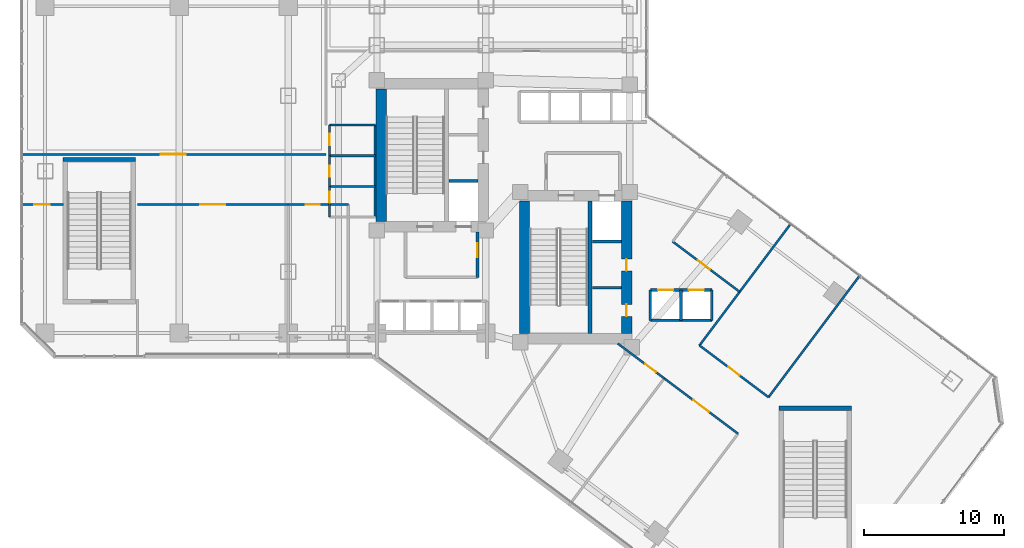
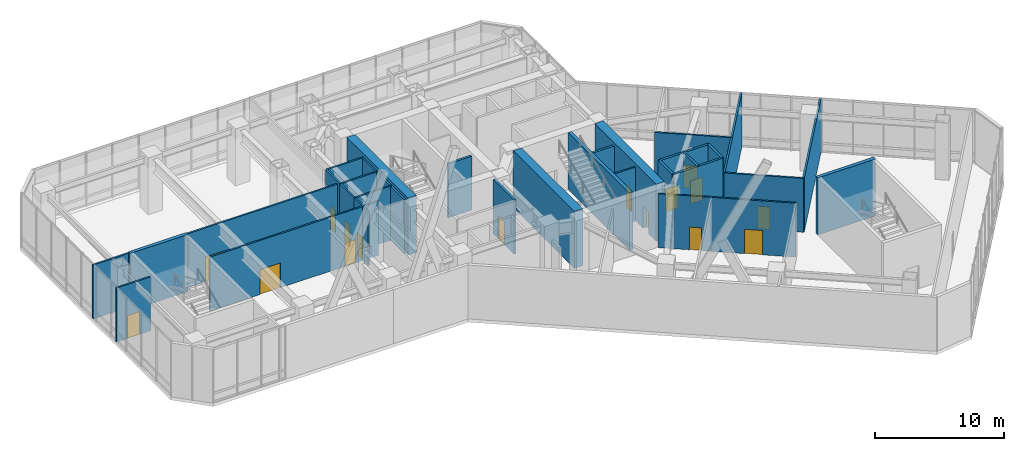
# One storey, part 28 of 35: 32 walls, 16 doors, 16 openings.
"""IFC4 building model written with IfcOpenShell, lengths in metres."""

from ifc_helpers import new_model, si_unit, direction, frame, frame_2d, origin, place, context, subcontext, project, spatial, rectangle, extrude, material, layer, layer_set, type_object, element, fill, save


model = new_model("IFC4")

# Units and contexts
model_context = context("Model", 3, precision=1e-05, world=origin(), true_north=direction((0.0, 1.0)))
body_context = subcontext(model_context, "Body", "Model", "MODEL_VIEW")
ifc_project = project(units=[si_unit("LENGTHUNIT", "METRE"), si_unit("AREAUNIT", "SQUARE_METRE"), si_unit("VOLUMEUNIT", "CUBIC_METRE"), si_unit("PLANEANGLEUNIT", "RADIAN"), si_unit("MASSUNIT", "GRAM", prefix="KILO")], contexts=[model_context])

# Site, building, storey
site_placement = place(None, origin())
site = spatial("IfcSite", under=ifc_project, at=site_placement, CompositionType="ELEMENT")
building_placement = place(site_placement, origin())
building = spatial("IfcBuilding", under=site, at=building_placement, Name="Hatsunagi Terrace Concourse", CompositionType="ELEMENT")
storey_placement = place(building_placement, frame((0.0, 0.0, 5.39990234375)))
storey = spatial("IfcBuildingStorey", under=building, at=storey_placement, Name="L02", CompositionType="ELEMENT", Elevation=5.39990234375)

# Walls
ifc_material_1 = material(Name="Concrete Fc60", Category="concrete")
ifc_layer_1 = layer(ifc_material_1, 0.75)
ifc_layer_set_1 = layer_set([ifc_layer_1], Name="CoreShearWall_Fc60_750")
wall_type_1 = type_object("IfcWallType", Name="CoreShearWall_Fc60_750", PredefinedType="SHEAR", material=ifc_layer_set_1)
for number, where, z_axis, x_axis, name in (
    (1, (25.844970703125, 33.18994140625, 0.0), (0.0, 0.0, 1.0), (0.0, 1.0, 0.0), "Core A Shear Wall W L02"),
    (2, (36.114990234375, 25.18994140625, 0.0), (0.0, 0.0, 1.0), (0.0, 1.0, 0.0), "Core B Shear Wall W L02"),
):
    element("IfcWall", number, at=place(storey_placement, frame(where, z_axis=z_axis, x_axis=x_axis)), inside=storey, type_object=wall_type_1, Name=name, PredefinedType="SHEAR", context=body_context, shape_type="SweptSolid", body=[
        extrude(rectangle(XDim=9.47998046875, YDim=0.75, at=frame_2d((4.739990234375, 0.0))), origin(), (0.0, 0.0, 1.0), 5.400146484375),
    ])

# Wall, openings, doors
wall_1_placement = place(storey_placement, frame((43.425048828125, 25.18994140625, 0.0), z_axis=(0.0, 0.0, 1.0), x_axis=(0.0, 1.0, 0.0)))
wall_1 = element("IfcWall", 3, at=wall_1_placement, inside=storey, type_object=wall_type_1, Name="Core B Shear Wall E L02", PredefinedType="SHEAR", context=body_context, shape_type="SweptSolid", body=[
    extrude(rectangle(XDim=9.47998046875, YDim=0.75, at=frame_2d((4.739990234375, 0.0))), origin(), (0.0, 0.0, 1.0), 5.400146484375),
])
opening_1_placement = place(wall_1_placement, frame((1.2099609375, 0.0, 0.0)))
opening_1 = element("IfcOpeningElement", 4, at=opening_1_placement, cuts=wall_1, Name="Opening DR-085", PredefinedType="OPENING", context=body_context, shape_type="SweptSolid", body=[
    extrude(rectangle(XDim=0.85009765625, YDim=2.080078125, at=frame_2d((0.425048828125, 1.0400390625))), frame((0.0, 0.385009765625, 0.0), z_axis=(0.0, -1.0, 0.0), x_axis=(1.0, 0.0, 0.0)), (0.0, 0.0, 1.0), 0.77001953125),
])
opening_2_placement = place(wall_1_placement, frame((4.4599609375, 0.0, 0.0)))
opening_2 = element("IfcOpeningElement", 5, at=opening_2_placement, cuts=wall_1, Name="Opening DR-085", PredefinedType="OPENING", context=body_context, shape_type="SweptSolid", body=[
    extrude(rectangle(XDim=0.85009765625, YDim=2.080078125, at=frame_2d((0.425048828125, 1.0400390625))), frame((0.0, 0.385009765625, 0.0), z_axis=(0.0, -1.0, 0.0), x_axis=(1.0, 0.0, 0.0)), (0.0, 0.0, 1.0), 0.77001953125),
])
ifc_material_2 = material(Name="Painted steel", Category="steel")
door_type_1 = type_object("IfcDoorType", Name="RiserAccessDoor_EI60_850", OperationType="NOTDEFINED", PredefinedType="DOOR", material=ifc_material_2)
door_1_placement = place(opening_1_placement, origin())
door_1 = element("IfcDoor", 6, at=door_1_placement, inside=storey, type_object=door_type_1, Name="Core B Riser Door L02-1", OperationType="SINGLE_SWING_RIGHT", OverallHeight=2.080078125, OverallWidth=0.85009765625, PredefinedType="DOOR", context=body_context, shape_type="SweptSolid", body=[
    extrude(rectangle(XDim=0.85009765625, YDim=2.080078125, at=frame_2d((0.425048828125, 1.0400390625))), frame((0.0, 0.02490234375, 0.0), z_axis=(0.0, -1.0, 0.0), x_axis=(1.0, 0.0, 0.0)), (0.0, 0.0, 1.0), 0.050048828125),
])
fill(opening_1, door_1)
door_2_placement = place(opening_2_placement, origin())
door_2 = element("IfcDoor", 7, at=door_2_placement, inside=storey, type_object=door_type_1, Name="Core B Riser Door L02-2", OperationType="SINGLE_SWING_RIGHT", OverallHeight=2.080078125, OverallWidth=0.85009765625, PredefinedType="DOOR", context=body_context, shape_type="SweptSolid", body=[
    extrude(rectangle(XDim=0.85009765625, YDim=2.080078125, at=frame_2d((0.425048828125, 1.0400390625))), frame((0.0, 0.02490234375, 0.0), z_axis=(0.0, -1.0, 0.0), x_axis=(1.0, 0.0, 0.0)), (0.0, 0.0, 1.0), 0.050048828125),
])
fill(opening_2, door_2)

# Walls
ifc_material_3 = material(Name="Concrete Fc48", Category="concrete")
ifc_layer_2 = layer(ifc_material_3, 0.300048828125)
ifc_layer_set_2 = layer_set([ifc_layer_2], Name="CoreStairDivider_Fc48_300")
wall_type_2 = type_object("IfcWallType", Name="CoreStairDivider_Fc48_300", PredefinedType="SHEAR", material=ifc_layer_set_2)
wall_2_placement = place(storey_placement, frame((40.81005859375, 25.18994140625, 0.0), z_axis=(0.0, 0.0, 1.0), x_axis=(0.0, 1.0, 0.0)))
element("IfcWall", 8, at=wall_2_placement, inside=storey, type_object=wall_type_2, Name="Core B Shear Wall D L02", PredefinedType="SHEAR", context=body_context, shape_type="SweptSolid", body=[
    extrude(rectangle(XDim=9.47998046875, YDim=0.300048828125, at=frame_2d((4.739990234375, 0.0))), origin(), (0.0, 0.0, 1.0), 5.400146484375),
])
for number, where, z_axis, x_axis, name in (
    (9, (3.090087890625, 37.6201171875, 0.0), (0.0, 0.0, 1.0), (1.0, 0.0, 0.0), "Podium Stair P1 Shear Wall N L02"),
    (10, (54.340087890625, 19.820068359375, 0.0), (0.0, 0.0, 1.0), (1.0, 0.0, 0.0), "Podium Stair P2 Shear Wall N L02"),
):
    element("IfcWall", number, at=place(storey_placement, frame(where, z_axis=z_axis, x_axis=x_axis)), inside=storey, type_object=wall_type_2, Name=name, PredefinedType="SHEAR", context=body_context, shape_type="SweptSolid", body=[
        extrude(rectangle(XDim=5.169921875, YDim=0.300048828125, at=frame_2d((2.5849609375, 0.0))), origin(), (0.0, 0.0, 1.0), 5.400146484375),
    ])
ifc_material_4 = material(Name="Acoustic mineral board", Category="gypsum")
ifc_layer_3 = layer(ifc_material_4, 0.14990234375)
ifc_layer_set_3 = layer_set([ifc_layer_3], Name="PartitionWall_EI60_150")
wall_type_3 = type_object("IfcWallType", Name="PartitionWall_EI60_150", PredefinedType="PARTITIONING", material=ifc_layer_set_3)
wall_3_placement = place(storey_placement, frame((40.969970703125, 28.449951171875, 0.0), z_axis=(0.0, 0.0, 1.0), x_axis=(1.0, 0.0, 0.0)))
element("IfcWall", 11, at=wall_3_placement, inside=storey, type_object=wall_type_3, Name="Interior Partition IW-L02-004", PredefinedType="PARTITIONING", context=body_context, shape_type="SweptSolid", body=[
    extrude(rectangle(XDim=2.080078125, YDim=0.14990234375, at=frame_2d((1.0400390625, 0.0))), origin(), (0.0, 0.0, 1.0), 5.10009765625),
])
wall_4_placement = place(storey_placement, frame((22.14990234375, 40.10009765625, 0.0), z_axis=(0.0, 0.0, 1.0), x_axis=(1.0, 0.0, 0.0)))
element("IfcWall", 12, at=wall_4_placement, inside=storey, type_object=wall_type_3, Name="Interior Partition IW-L02-030", PredefinedType="PARTITIONING", context=body_context, shape_type="SweptSolid", body=[
    extrude(rectangle(XDim=3.300048828125, YDim=0.14990234375, at=frame_2d((1.64990234375, 0.0))), origin(), (0.0, 0.0, 1.0), 5.10009765625),
])
wall_5_placement = place(storey_placement, frame((25.39990234375, 33.5, 0.0), z_axis=(0.0, 0.0, 1.0), x_axis=(0.0, 1.0, 0.0)))
element("IfcWall", 13, at=wall_5_placement, inside=storey, type_object=wall_type_3, Name="Interior Partition IW-L02-031", PredefinedType="PARTITIONING", context=body_context, shape_type="SweptSolid", body=[
    extrude(rectangle(XDim=6.60009765625, YDim=0.14990234375, at=frame_2d((3.300048828125, 0.0))), origin(), (0.0, 0.0, 1.0), 5.10009765625),
])
for number, where, z_axis, x_axis, name in (
    (14, (22.14990234375, 35.699951171875, 0.0), (0.0, 0.0, 1.0), (1.0, 0.0, 0.0), "Interior Partition IW-L02-032"),
    (15, (22.14990234375, 37.89990234375, 0.0), (0.0, 0.0, 1.0), (1.0, 0.0, 0.0), "Interior Partition IW-L02-033"),
):
    element("IfcWall", number, at=place(storey_placement, frame(where, z_axis=z_axis, x_axis=x_axis)), inside=storey, type_object=wall_type_3, Name=name, PredefinedType="PARTITIONING", context=body_context, shape_type="SweptSolid", body=[
        extrude(rectangle(XDim=3.300048828125, YDim=0.14990234375, at=frame_2d((1.64990234375, 0.0))), origin(), (0.0, 0.0, 1.0), 5.10009765625),
    ])

# Wall, opening, door
wall_6_placement = place(storey_placement, frame((22.14990234375, 33.5, 0.0), z_axis=(0.0, 0.0, 1.0), x_axis=(0.0, 1.0, 0.0)))
wall_6 = element("IfcWall", 16, at=wall_6_placement, inside=storey, type_object=wall_type_3, Name="Interior Partition IW-L02-034", PredefinedType="PARTITIONING", context=body_context, shape_type="SweptSolid", body=[
    extrude(rectangle(XDim=2.199951171875, YDim=0.14990234375, at=frame_2d((1.10009765625, 0.0))), origin(), (0.0, 0.0, 1.0), 5.10009765625),
])
opening_3_placement = place(wall_6_placement, frame((1.02001953125, 0.0, 0.0)))
opening_3 = element("IfcOpeningElement", 17, at=opening_3_placement, cuts=wall_6, Name="Opening DR-080", PredefinedType="OPENING", context=body_context, shape_type="SweptSolid", body=[
    extrude(rectangle(XDim=0.800048828125, YDim=2.06005859375, at=frame_2d((0.39990234375, 1.030029296875))), frame((0.0, 0.0849609375, 0.0), z_axis=(0.0, -1.0, 0.0), x_axis=(1.0, 0.0, 0.0)), (0.0, 0.0, 1.0), 0.169921875),
])
ifc_material_5 = material(Name="Hardwood timber", Category="wood")
door_type_2 = type_object("IfcDoorType", Name="BathroomDoor_800", OperationType="NOTDEFINED", PredefinedType="DOOR", material=ifc_material_5)
door_3_placement = place(opening_3_placement, origin())
door_3 = element("IfcDoor", 18, at=door_3_placement, inside=storey, type_object=door_type_2, Name="Accessible WC Door L02", OperationType="SINGLE_SWING_LEFT", OverallHeight=2.06005859375, OverallWidth=0.800048828125, PredefinedType="DOOR", context=body_context, shape_type="SweptSolid", body=[
    extrude(rectangle(XDim=0.800048828125, YDim=2.06005859375, at=frame_2d((0.39990234375, 1.030029296875))), frame((0.0, 0.02490234375, 0.0), z_axis=(0.0, -1.0, 0.0), x_axis=(1.0, 0.0, 0.0)), (0.0, 0.0, 1.0), 0.050048828125),
])
fill(opening_3, door_3)

wall_7_placement = place(storey_placement, frame((22.14990234375, 35.699951171875, 0.0), z_axis=(0.0, 0.0, 1.0), x_axis=(0.0, 1.0, 0.0)))
wall_7 = element("IfcWall", 19, at=wall_7_placement, inside=storey, type_object=wall_type_3, Name="Interior Partition IW-L02-035", PredefinedType="PARTITIONING", context=body_context, shape_type="SweptSolid", body=[
    extrude(rectangle(XDim=2.199951171875, YDim=0.14990234375, at=frame_2d((1.10009765625, 0.0))), origin(), (0.0, 0.0, 1.0), 5.10009765625),
])
opening_4_placement = place(wall_7_placement, frame((0.699951171875, 0.0, 0.0)))
opening_4 = element("IfcOpeningElement", 20, at=opening_4_placement, cuts=wall_7, Name="Opening DR-080", PredefinedType="OPENING", context=body_context, shape_type="SweptSolid", body=[
    extrude(rectangle(XDim=0.800048828125, YDim=2.06005859375, at=frame_2d((0.39990234375, 1.030029296875))), frame((0.0, 0.0849609375, 0.0), z_axis=(0.0, -1.0, 0.0), x_axis=(1.0, 0.0, 0.0)), (0.0, 0.0, 1.0), 0.169921875),
])
door_4_placement = place(opening_4_placement, origin())
door_4 = element("IfcDoor", 21, at=door_4_placement, inside=storey, type_object=door_type_2, Name="Female Restroom Door L02", OperationType="SINGLE_SWING_LEFT", OverallHeight=2.06005859375, OverallWidth=0.800048828125, PredefinedType="DOOR", context=body_context, shape_type="SweptSolid", body=[
    extrude(rectangle(XDim=0.800048828125, YDim=2.06005859375, at=frame_2d((0.39990234375, 1.030029296875))), frame((0.0, 0.02490234375, 0.0), z_axis=(0.0, -1.0, 0.0), x_axis=(1.0, 0.0, 0.0)), (0.0, 0.0, 1.0), 0.050048828125),
])
fill(opening_4, door_4)

wall_8_placement = place(storey_placement, frame((22.14990234375, 37.89990234375, 0.0), z_axis=(0.0, 0.0, 1.0), x_axis=(0.0, 1.0, 0.0)))
wall_8 = element("IfcWall", 22, at=wall_8_placement, inside=storey, type_object=wall_type_3, Name="Interior Partition IW-L02-036", PredefinedType="PARTITIONING", context=body_context, shape_type="SweptSolid", body=[
    extrude(rectangle(XDim=2.2001953125, YDim=0.14990234375, at=frame_2d((1.10009765625, 0.0))), origin(), (0.0, 0.0, 1.0), 5.10009765625),
])
opening_5_placement = place(wall_8_placement, frame((0.763916015625, 0.0, 0.0)))
opening_5 = element("IfcOpeningElement", 23, at=opening_5_placement, cuts=wall_8, Name="Opening DR-080", PredefinedType="OPENING", context=body_context, shape_type="SweptSolid", body=[
    extrude(rectangle(XDim=0.800048828125, YDim=2.06005859375, at=frame_2d((0.39990234375, 1.030029296875))), frame((0.0, 0.0849609375, 0.0), z_axis=(0.0, -1.0, 0.0), x_axis=(1.0, 0.0, 0.0)), (0.0, 0.0, 1.0), 0.169921875),
])
door_5_placement = place(opening_5_placement, origin())
door_5 = element("IfcDoor", 24, at=door_5_placement, inside=storey, type_object=door_type_2, Name="Male Restroom Door L02", OperationType="SINGLE_SWING_RIGHT", OverallHeight=2.06005859375, OverallWidth=0.800048828125, PredefinedType="DOOR", context=body_context, shape_type="SweptSolid", body=[
    extrude(rectangle(XDim=0.800048828125, YDim=2.06005859375, at=frame_2d((0.39990234375, 1.030029296875))), frame((0.0, 0.02490234375, 0.0), z_axis=(0.0, -1.0, 0.0), x_axis=(1.0, 0.0, 0.0)), (0.0, 0.0, 1.0), 0.050048828125),
])
fill(opening_5, door_5)

wall_9_placement = place(storey_placement, frame((0.0400390625, 38.0, 0.0), z_axis=(0.0, 0.0, 1.0), x_axis=(1.0, 0.0, 0.0)))
wall_9 = element("IfcWall", 25, at=wall_9_placement, inside=storey, type_object=wall_type_3, Name="Interior Partition IW-L02-037", PredefinedType="PARTITIONING", context=body_context, shape_type="SweptSolid", body=[
    extrude(rectangle(XDim=21.85986328125, YDim=0.14990234375, at=frame_2d((10.929931640625, 0.0))), origin(), (0.0, 0.0, 1.0), 5.10009765625),
])
opening_6_placement = place(wall_9_placement, frame((10.030029296875, 0.0, 0.0)))
opening_6 = element("IfcOpeningElement", 26, at=opening_6_placement, cuts=wall_9, Name="Opening DR-180", PredefinedType="OPENING", context=body_context, shape_type="SweptSolid", body=[
    extrude(rectangle(XDim=1.800048828125, YDim=2.35009765625, at=frame_2d((0.89990234375, 1.175048828125))), frame((0.0, 0.0849609375, 0.0), z_axis=(0.0, -1.0, 0.0), x_axis=(1.0, 0.0, 0.0)), (0.0, 0.0, 1.0), 0.169921875),
])
ifc_material_6 = material(Name="Hardwood timber", Category="wood")
door_type_3 = type_object("IfcDoorType", Name="PodiumHallDoubleDoor_1800", OperationType="DOUBLE_DOOR_SINGLE_SWING", PredefinedType="DOOR", material=ifc_material_6)
door_6_placement = place(opening_6_placement, origin())
door_6 = element("IfcDoor", 27, at=door_6_placement, inside=storey, type_object=door_type_3, Name="Exhibition Hall L02-EXHN Door", OperationType="DOUBLE_DOOR_SINGLE_SWING", OverallHeight=2.35009765625, OverallWidth=1.800048828125, PredefinedType="DOOR", context=body_context, shape_type="SweptSolid", body=[
    extrude(rectangle(XDim=1.800048828125, YDim=2.35009765625, at=frame_2d((0.89990234375, 1.175048828125))), frame((0.0, 0.02490234375, 0.0), z_axis=(0.0, -1.0, 0.0), x_axis=(1.0, 0.0, 0.0)), (0.0, 0.0, 1.0), 0.050048828125),
])
fill(opening_6, door_6)

wall_10_placement = place(storey_placement, frame((0.0400390625, 34.39990234375, 0.0), z_axis=(0.0, 0.0, 1.0), x_axis=(1.0, 0.0, 0.0)))
wall_10 = element("IfcWall", 28, at=wall_10_placement, inside=storey, type_object=wall_type_3, Name="Interior Partition IW-L02-039", PredefinedType="PARTITIONING", context=body_context, shape_type="SweptSolid", body=[
    extrude(rectangle(XDim=3.070068359375, YDim=0.14990234375, at=frame_2d((1.53515625, 0.0))), origin(), (0.0, 0.0, 1.0), 5.10009765625),
])
opening_7_placement = place(wall_10_placement, frame((0.985107421875, 0.0, 0.0)))
opening_7 = element("IfcOpeningElement", 29, at=opening_7_placement, cuts=wall_10, Name="Opening DR-110W", PredefinedType="OPENING", context=body_context, shape_type="SweptSolid", body=[
    extrude(rectangle(XDim=1.10009765625, YDim=2.159912109375, at=frame_2d((0.550048828125, 1.080078125))), frame((0.0, 0.0849609375, 0.0), z_axis=(0.0, -1.0, 0.0), x_axis=(1.0, 0.0, 0.0)), (0.0, 0.0, 1.0), 0.169921875),
])
ifc_material_7 = material(Name="Hardwood timber", Category="wood")
door_type_4 = type_object("IfcDoorType", Name="SuiteWideDoor_EI30_1100", OperationType="NOTDEFINED", PredefinedType="DOOR", material=ifc_material_7)
door_7_placement = place(opening_7_placement, origin())
door_7 = element("IfcDoor", 30, at=door_7_placement, inside=storey, type_object=door_type_4, Name="VIP Lounge L02-P2WS0 Door", OperationType="SINGLE_SWING_RIGHT", OverallHeight=2.159912109375, OverallWidth=1.10009765625, PredefinedType="DOOR", context=body_context, shape_type="SweptSolid", body=[
    extrude(rectangle(XDim=1.10009765625, YDim=2.159912109375, at=frame_2d((0.550048828125, 1.080078125))), frame((0.0, 0.02490234375, 0.0), z_axis=(0.0, -1.0, 0.0), x_axis=(1.0, 0.0, 0.0)), (0.0, 0.0, 1.0), 0.050048828125),
])
fill(opening_7, door_7)

wall_11_placement = place(storey_placement, frame((8.39990234375, 34.39990234375, 0.0), z_axis=(0.0, 0.0, 1.0), x_axis=(1.0, 0.0, 0.0)))
wall_11 = element("IfcWall", 31, at=wall_11_placement, inside=storey, type_object=wall_type_3, Name="Interior Partition IW-L02-041", PredefinedType="PARTITIONING", context=body_context, shape_type="SweptSolid", body=[
    extrude(rectangle(XDim=10.800048828125, YDim=0.14990234375, at=frame_2d((5.39990234375, 0.0))), origin(), (0.0, 0.0, 1.0), 5.10009765625),
])
opening_8_placement = place(wall_11_placement, frame((4.5, 0.0, 0.0)))
opening_8 = element("IfcOpeningElement", 32, at=opening_8_placement, cuts=wall_11, Name="Opening DR-180", PredefinedType="OPENING", context=body_context, shape_type="SweptSolid", body=[
    extrude(rectangle(XDim=1.800048828125, YDim=2.35009765625, at=frame_2d((0.89990234375, 1.175048828125))), frame((0.0, 0.0849609375, 0.0), z_axis=(0.0, -1.0, 0.0), x_axis=(1.0, 0.0, 0.0)), (0.0, 0.0, 1.0), 0.169921875),
])
door_8_placement = place(opening_8_placement, origin())
door_8 = element("IfcDoor", 33, at=door_8_placement, inside=storey, type_object=door_type_3, Name="Conference Hall L02-EXHS Door", OperationType="DOUBLE_DOOR_SINGLE_SWING", OverallHeight=2.35009765625, OverallWidth=1.800048828125, PredefinedType="DOOR", context=body_context, shape_type="SweptSolid", body=[
    extrude(rectangle(XDim=1.800048828125, YDim=2.35009765625, at=frame_2d((0.89990234375, 1.175048828125))), frame((0.0, 0.02490234375, 0.0), z_axis=(0.0, -1.0, 0.0), x_axis=(1.0, 0.0, 0.0)), (0.0, 0.0, 1.0), 0.050048828125),
])
fill(opening_8, door_8)

wall_12_placement = place(storey_placement, frame((19.199951171875, 34.39990234375, 0.0), z_axis=(0.0, 0.0, 1.0), x_axis=(1.0, 0.0, 0.0)))
wall_12 = element("IfcWall", 34, at=wall_12_placement, inside=storey, type_object=wall_type_3, Name="Interior Partition IW-L02-043", PredefinedType="PARTITIONING", context=body_context, shape_type="SweptSolid", body=[
    extrude(rectangle(XDim=4.300048828125, YDim=0.14990234375, at=frame_2d((2.14990234375, 0.0))), origin(), (0.0, 0.0, 1.0), 5.10009765625),
])
opening_9_placement = place(wall_12_placement, frame((1.26904296875, 0.0, 0.0)))
opening_9 = element("IfcOpeningElement", 35, at=opening_9_placement, cuts=wall_12, Name="Opening DR-100F", PredefinedType="OPENING", context=body_context, shape_type="SweptSolid", body=[
    extrude(rectangle(XDim=1.0, YDim=2.199951171875, at=frame_2d((0.5, 1.10009765625))), frame((0.0, 0.0849609375, 0.0), z_axis=(0.0, -1.0, 0.0), x_axis=(1.0, 0.0, 0.0)), (0.0, 0.0, 1.0), 0.169921875),
])
ifc_material_8 = material(Name="Painted steel", Category="steel")
door_type_5 = type_object("IfcDoorType", Name="FireDoor_EI60_1000", OperationType="NOTDEFINED", PredefinedType="DOOR", material=ifc_material_8)
door_9_placement = place(opening_9_placement, origin())
door_9 = element("IfcDoor", 36, at=door_9_placement, inside=storey, type_object=door_type_5, Name="Catering Pantry L02-P2BOH Door", OperationType="SINGLE_SWING_LEFT", OverallHeight=2.199951171875, OverallWidth=1.0, PredefinedType="DOOR", context=body_context, shape_type="SweptSolid", body=[
    extrude(rectangle(XDim=1.0, YDim=2.199951171875, at=frame_2d((0.5, 1.10009765625))), frame((0.0, 0.02490234375, 0.0), z_axis=(0.0, -1.0, 0.0), x_axis=(1.0, 0.0, 0.0)), (0.0, 0.0, 1.0), 0.050048828125),
])
fill(opening_9, door_9)

wall_13_placement = place(storey_placement, frame((48.639892578125, 24.320068359375, 0.0), z_axis=(0.0, 0.0, 1.0), x_axis=(0.80000474051, -0.599993679268, 0.0)))
wall_13 = element("IfcWall", 37, at=wall_13_placement, inside=storey, type_object=wall_type_3, Name="Interior Partition IW-L02-046", PredefinedType="PARTITIONING", context=body_context, shape_type="SweptSolid", body=[
    extrude(rectangle(XDim=6.18017578125, YDim=0.14990234375, at=frame_2d((3.090087890625, 0.0))), origin(), (0.0, 0.0, 1.0), 5.10009765625),
])
opening_10_placement = place(wall_13_placement, frame((2.590087890625, 0.0, 0.0)))
opening_10 = element("IfcOpeningElement", 38, at=opening_10_placement, cuts=wall_13, Name="Opening DR-100S", PredefinedType="OPENING", context=body_context, shape_type="SweptSolid", body=[
    extrude(rectangle(XDim=1.0, YDim=2.14990234375, at=frame_2d((0.5, 1.074951171875))), frame((0.0, 0.0849609375, 0.0), z_axis=(0.0, -1.0, 0.0), x_axis=(1.0, 0.0, 0.0)), (0.0, 0.0, 1.0), 0.169921875),
])
ifc_material_9 = material(Name="Hardwood timber", Category="wood")
door_type_6 = type_object("IfcDoorType", Name="SuiteDoor_EI30_1000", OperationType="NOTDEFINED", PredefinedType="DOOR", material=ifc_material_9)
door_10_placement = place(opening_10_placement, origin())
door_10 = element("IfcDoor", 39, at=door_10_placement, inside=storey, type_object=door_type_6, Name="Seminar Room L02-SEMN1 Door", OperationType="SINGLE_SWING_LEFT", OverallHeight=2.14990234375, OverallWidth=1.0, PredefinedType="DOOR", context=body_context, shape_type="SweptSolid", body=[
    extrude(rectangle(XDim=1.0, YDim=2.14990234375, at=frame_2d((0.5, 1.074951171875))), frame((0.0, 0.02490234375, 0.0), z_axis=(0.0, -1.0, 0.0), x_axis=(1.0, 0.0, 0.0)), (0.0, 0.0, 1.0), 0.050048828125),
])
fill(opening_10, door_10)

# Walls
wall_14_placement = place(storey_placement, frame((48.639892578125, 24.320068359375, 0.0), z_axis=(0.0, 0.0, 1.0), x_axis=(0.600017820398, 0.799986634391, 0.0)))
element("IfcWall", 40, at=wall_14_placement, inside=storey, type_object=wall_type_3, Name="Interior Partition IW-L02-047", PredefinedType="PARTITIONING", context=body_context, shape_type="SweptSolid", body=[
    extrude(rectangle(XDim=10.9599609375, YDim=0.14990234375, at=frame_2d((5.47998046875, 0.0))), origin(), (0.0, 0.0, 1.0), 5.10009765625),
])
wall_15_placement = place(storey_placement, frame((53.583984375, 20.612060546875, 0.0), z_axis=(0.0, 0.0, 1.0), x_axis=(0.600003564151, 0.799997326874, 0.0)))
element("IfcWall", 41, at=wall_15_placement, inside=storey, type_object=wall_type_3, Name="Interior Partition IW-L02-048", PredefinedType="PARTITIONING", context=body_context, shape_type="SweptSolid", body=[
    extrude(rectangle(XDim=10.959716796875, YDim=0.14990234375, at=frame_2d((5.47998046875, 0.0))), origin(), (0.0, 0.0, 1.0), 5.10009765625),
])

# Wall, opening, door
wall_16_placement = place(storey_placement, frame((46.1201171875, 21.9599609375, 0.0), z_axis=(0.0, 0.0, 1.0), x_axis=(0.799991121809, -0.600011837406, 0.0)))
wall_16 = element("IfcWall", 42, at=wall_16_placement, inside=storey, type_object=wall_type_3, Name="Interior Partition IW-L02-049", PredefinedType="PARTITIONING", context=body_context, shape_type="SweptSolid", body=[
    extrude(rectangle(XDim=6.599853515625, YDim=0.14990234375, at=frame_2d((3.2998046875, 0.0))), origin(), (0.0, 0.0, 1.0), 5.10009765625),
])
opening_11_placement = place(wall_16_placement, frame((2.60009765625, 0.0, 0.0)))
opening_11 = element("IfcOpeningElement", 43, at=opening_11_placement, cuts=wall_16, Name="Opening DR-140", PredefinedType="OPENING", context=body_context, shape_type="SweptSolid", body=[
    extrude(rectangle(XDim=1.39990234375, YDim=2.300048828125, at=frame_2d((0.699951171875, 1.14990234375))), frame((0.0, 0.0849609375, 0.0), z_axis=(0.0, -1.0, 0.0), x_axis=(1.0, 0.0, 0.0)), (0.0, 0.0, 1.0), 0.169921875),
])
ifc_material_10 = material(Name="Hardwood timber", Category="wood")
door_type_7 = type_object("IfcDoorType", Name="LoungeDiningDoubleDoor_1400", OperationType="DOUBLE_DOOR_SINGLE_SWING", PredefinedType="DOOR", material=ifc_material_10)
door_11_placement = place(opening_11_placement, origin())
door_11 = element("IfcDoor", 44, at=door_11_placement, inside=storey, type_object=door_type_7, Name="Conference Hall L02-SYMP2 Door", OperationType="DOUBLE_DOOR_SINGLE_SWING", OverallHeight=2.300048828125, OverallWidth=1.39990234375, PredefinedType="DOOR", context=body_context, shape_type="SweptSolid", body=[
    extrude(rectangle(XDim=1.39990234375, YDim=2.300048828125, at=frame_2d((0.699951171875, 1.14990234375))), frame((0.0, 0.02490234375, 0.0), z_axis=(0.0, -1.0, 0.0), x_axis=(1.0, 0.0, 0.0)), (0.0, 0.0, 1.0), 0.050048828125),
])
fill(opening_11, door_11)

wall_17_placement = place(storey_placement, frame((46.719970703125, 31.760009765625, 0.0), z_axis=(0.0, 0.0, 1.0), x_axis=(0.79999511724, -0.600006510291, 0.0)))
wall_17 = element("IfcWall", 45, at=wall_17_placement, inside=storey, type_object=wall_type_3, Name="Interior Partition IW-L02-053", PredefinedType="PARTITIONING", context=body_context, shape_type="SweptSolid", body=[
    extrude(rectangle(XDim=6.0, YDim=0.14990234375, at=frame_2d((3.0, 0.0))), origin(), (0.0, 0.0, 1.0), 5.10009765625),
])
opening_12_placement = place(wall_17_placement, frame((2.242919921875, 0.0, 0.0)))
opening_12 = element("IfcOpeningElement", 46, at=opening_12_placement, cuts=wall_17, Name="Opening DR-110W", PredefinedType="OPENING", context=body_context, shape_type="SweptSolid", body=[
    extrude(rectangle(XDim=1.10009765625, YDim=2.159912109375, at=frame_2d((0.550048828125, 1.080078125))), frame((0.0, 0.0849609375, 0.0), z_axis=(0.0, -1.0, 0.0), x_axis=(1.0, 0.0, 0.0)), (0.0, 0.0, 1.0), 0.169921875),
])
door_12_placement = place(opening_12_placement, origin())
door_12 = element("IfcDoor", 47, at=door_12_placement, inside=storey, type_object=door_type_4, Name="Delegate Pre-Function Lounge L02-PREG2 Door", OperationType="SINGLE_SWING_RIGHT", OverallHeight=2.159912109375, OverallWidth=1.10009765625, PredefinedType="DOOR", context=body_context, shape_type="SweptSolid", body=[
    extrude(rectangle(XDim=1.10009765625, YDim=2.159912109375, at=frame_2d((0.550048828125, 1.080078125))), frame((0.0, 0.02490234375, 0.0), z_axis=(0.0, -1.0, 0.0), x_axis=(1.0, 0.0, 0.0)), (0.0, 0.0, 1.0), 0.050048828125),
])
fill(opening_12, door_12)

wall_18_placement = place(storey_placement, frame((42.787109375, 24.4599609375, 0.0), z_axis=(0.0, 0.0, 1.0), x_axis=(0.799971872363, -0.600037501685, 0.0)))
wall_18 = element("IfcWall", 48, at=wall_18_placement, inside=storey, type_object=wall_type_3, Name="Interior Partition IW-L02-055", PredefinedType="PARTITIONING", context=body_context, shape_type="SweptSolid", body=[
    extrude(rectangle(XDim=4.16650390625, YDim=0.14990234375, at=frame_2d((2.083251953125, 0.0))), origin(), (0.0, 0.0, 1.0), 5.10009765625),
])
opening_13_placement = place(wall_18_placement, frame((2.468017578125, 0.0, 0.0)))
opening_13 = element("IfcOpeningElement", 49, at=opening_13_placement, cuts=wall_18, Name="Opening DR-095", PredefinedType="OPENING", context=body_context, shape_type="SweptSolid", body=[
    extrude(rectangle(XDim=0.949951171875, YDim=2.14990234375, at=frame_2d((0.47509765625, 1.074951171875))), frame((0.0, 0.0849609375, 0.0), z_axis=(0.0, -1.0, 0.0), x_axis=(1.0, 0.0, 0.0)), (0.0, 0.0, 1.0), 0.169921875),
])
ifc_material_11 = material(Name="Hardwood timber", Category="wood")
door_type_8 = type_object("IfcDoorType", Name="InteriorSuiteDoor_EI30_950", OperationType="NOTDEFINED", PredefinedType="DOOR", material=ifc_material_11)
door_13_placement = place(opening_13_placement, origin())
door_13 = element("IfcDoor", 50, at=door_13_placement, inside=storey, type_object=door_type_8, Name="Press Briefing Room L02-PSW2 Door", OperationType="SINGLE_SWING_RIGHT", OverallHeight=2.14990234375, OverallWidth=0.949951171875, PredefinedType="DOOR", context=body_context, shape_type="SweptSolid", body=[
    extrude(rectangle(XDim=0.949951171875, YDim=2.14990234375, at=frame_2d((0.47509765625, 1.074951171875))), frame((0.0, 0.02490234375, 0.0), z_axis=(0.0, -1.0, 0.0), x_axis=(1.0, 0.0, 0.0)), (0.0, 0.0, 1.0), 0.050048828125),
])
fill(opening_13, door_13)

# Walls
ifc_material_12 = material(Name="Acoustic mineral board", Category="gypsum")
ifc_layer_4 = layer(ifc_material_12, 0.199951171875)
ifc_layer_set_4 = layer_set([ifc_layer_4], Name="ShaftWall_EI120_200")
wall_type_4 = type_object("IfcWallType", Name="ShaftWall_EI120_200", PredefinedType="STANDARD", material=ifc_layer_set_4)
wall_19_placement = place(storey_placement, frame((30.699951171875, 36.10009765625, 0.0), z_axis=(0.0, 0.0, 1.0), x_axis=(1.0, 0.0, 0.0)))
element("IfcWall", 51, at=wall_19_placement, inside=storey, type_object=wall_type_4, Name="Interior Partition IW-L02-001", PredefinedType="STANDARD", context=body_context, shape_type="SweptSolid", body=[
    extrude(rectangle(XDim=2.10009765625, YDim=0.199951171875, at=frame_2d((1.050048828125, 0.0))), origin(), (0.0, 0.0, 1.0), 5.10009765625),
])
wall_20_placement = place(storey_placement, frame((40.969970703125, 31.760009765625, 0.0), z_axis=(0.0, 0.0, 1.0), x_axis=(1.0, 0.0, 0.0)))
element("IfcWall", 52, at=wall_20_placement, inside=storey, type_object=wall_type_4, Name="Interior Partition IW-L02-003", PredefinedType="STANDARD", context=body_context, shape_type="SweptSolid", body=[
    extrude(rectangle(XDim=2.080078125, YDim=0.199951171875, at=frame_2d((1.0400390625, 0.0))), origin(), (0.0, 0.0, 1.0), 5.10009765625),
])

# Wall, opening, door
wall_21_placement = place(storey_placement, frame((32.75, 29.199951171875, 0.0), z_axis=(0.0, 0.0, 1.0), x_axis=(0.0, 1.0, 0.0)))
wall_21 = element("IfcWall", 53, at=wall_21_placement, inside=storey, type_object=wall_type_4, Name="Interior Partition IW-L02-007", PredefinedType="STANDARD", context=body_context, shape_type="SweptSolid", body=[
    extrude(rectangle(XDim=3.239990234375, YDim=0.199951171875, at=frame_2d((1.6201171875, 0.0))), origin(), (0.0, 0.0, 1.0), 5.10009765625),
])
opening_14_placement = place(wall_21_placement, frame((1.449951171875, 0.0, 0.0)))
opening_14 = element("IfcOpeningElement", 54, at=opening_14_placement, cuts=wall_21, Name="Opening DR-100F", PredefinedType="OPENING", context=body_context, shape_type="SweptSolid", body=[
    extrude(rectangle(XDim=1.0, YDim=2.199951171875, at=frame_2d((0.5, 1.10009765625))), frame((0.0, 0.10986328125, 0.0), z_axis=(0.0, -1.0, 0.0), x_axis=(1.0, 0.0, 0.0)), (0.0, 0.0, 1.0), 0.219970703125),
])
door_14_placement = place(opening_14_placement, origin())
door_14 = element("IfcDoor", 55, at=door_14_placement, inside=storey, type_object=door_type_5, Name="Firefighting Lobby A Door L02", OperationType="SINGLE_SWING_RIGHT", OverallHeight=2.199951171875, OverallWidth=1.0, PredefinedType="DOOR", context=body_context, shape_type="SweptSolid", body=[
    extrude(rectangle(XDim=1.0, YDim=2.199951171875, at=frame_2d((0.5, 1.10009765625))), frame((0.0, 0.02490234375, 0.0), z_axis=(0.0, -1.0, 0.0), x_axis=(1.0, 0.0, 0.0)), (0.0, 0.0, 1.0), 0.050048828125),
])
fill(opening_14, door_14)

# Walls
wall_22_placement = place(storey_placement, frame((45.1201171875, 26.1201171875, 0.0), z_axis=(0.0, 0.0, 1.0), x_axis=(1.0, 0.0, 0.0)))
element("IfcWall", 56, at=wall_22_placement, inside=storey, type_object=wall_type_4, Name="Interior Partition IW-L02-024", PredefinedType="STANDARD", context=body_context, shape_type="SweptSolid", body=[
    extrude(rectangle(XDim=4.39990234375, YDim=0.199951171875, at=frame_2d((2.199951171875, 0.0))), origin(), (0.0, 0.0, 1.0), 5.10009765625),
])
for number, where, z_axis, x_axis, name in (
    (57, (45.1201171875, 26.1201171875, 0.0), (0.0, 0.0, 1.0), (0.0, 1.0, 0.0), "Interior Partition IW-L02-025"),
    (58, (49.52001953125, 26.1201171875, 0.0), (0.0, 0.0, 1.0), (0.0, 1.0, 0.0), "Interior Partition IW-L02-026"),
    (59, (47.320068359375, 26.1201171875, 0.0), (0.0, 0.0, 1.0), (0.0, 1.0, 0.0), "Interior Partition IW-L02-027"),
):
    element("IfcWall", number, at=place(storey_placement, frame(where, z_axis=z_axis, x_axis=x_axis)), inside=storey, type_object=wall_type_4, Name=name, PredefinedType="STANDARD", context=body_context, shape_type="SweptSolid", body=[
        extrude(rectangle(XDim=2.159912109375, YDim=0.199951171875, at=frame_2d((1.080078125, 0.0))), origin(), (0.0, 0.0, 1.0), 5.10009765625),
    ])

# Wall, openings, doors
wall_23_placement = place(storey_placement, frame((45.1201171875, 28.280029296875, 0.0), z_axis=(0.0, 0.0, 1.0), x_axis=(1.0, 0.0, 0.0)))
wall_23 = element("IfcWall", 60, at=wall_23_placement, inside=storey, type_object=wall_type_4, Name="Interior Partition IW-L02-028", PredefinedType="STANDARD", context=body_context, shape_type="SweptSolid", body=[
    extrude(rectangle(XDim=4.39990234375, YDim=0.199951171875, at=frame_2d((2.199951171875, 0.0))), origin(), (0.0, 0.0, 1.0), 5.10009765625),
])
opening_15_placement = place(wall_23_placement, frame((0.56005859375, 0.0, 0.0)))
opening_15 = element("IfcOpeningElement", 61, at=opening_15_placement, cuts=wall_23, Name="Opening LD-03", PredefinedType="OPENING", context=body_context, shape_type="SweptSolid", body=[
    extrude(rectangle(XDim=1.080078125, YDim=2.14990234375, at=frame_2d((0.5400390625, 1.074951171875))), frame((0.0, 0.10986328125, 0.0), z_axis=(0.0, -1.0, 0.0), x_axis=(1.0, 0.0, 0.0)), (0.0, 0.0, 1.0), 0.219970703125),
])
opening_16_placement = place(wall_23_placement, frame((2.760009765625, 0.0, 0.0)))
opening_16 = element("IfcOpeningElement", 62, at=opening_16_placement, cuts=wall_23, Name="Opening LD-03", PredefinedType="OPENING", context=body_context, shape_type="SweptSolid", body=[
    extrude(rectangle(XDim=1.080078125, YDim=2.14990234375, at=frame_2d((0.5400390625, 1.074951171875))), frame((0.0, 0.10986328125, 0.0), z_axis=(0.0, -1.0, 0.0), x_axis=(1.0, 0.0, 0.0)), (0.0, 0.0, 1.0), 0.219970703125),
])
ifc_material_13 = material(Name="Stainless steel", Category="steel")
door_type_9 = type_object("IfcDoorType", Name="LiftLandingDoor_LD03", OperationType="SLIDING_TO_LEFT", PredefinedType="USERDEFINED", material=ifc_material_13)
door_15_placement = place(opening_15_placement, origin())
door_15 = element("IfcDoor", 63, at=door_15_placement, inside=storey, type_object=door_type_9, Name="Lift landing door PL-09 L02", ObjectType="SLIDING_LANDING_DOOR", OperationType="SLIDING_TO_LEFT", OverallHeight=2.14990234375, OverallWidth=1.080078125, PredefinedType="USERDEFINED", context=body_context, shape_type="SweptSolid", body=[
    extrude(rectangle(XDim=1.080078125, YDim=2.14990234375, at=frame_2d((0.5400390625, 1.074951171875))), frame((0.0, 0.02490234375, 0.0), z_axis=(0.0, -1.0, 0.0), x_axis=(1.0, 0.0, 0.0)), (0.0, 0.0, 1.0), 0.050048828125),
])
fill(opening_15, door_15)
door_16_placement = place(opening_16_placement, origin())
door_16 = element("IfcDoor", 64, at=door_16_placement, inside=storey, type_object=door_type_9, Name="Lift landing door PL-10 L02", ObjectType="SLIDING_LANDING_DOOR", OperationType="SLIDING_TO_LEFT", OverallHeight=2.14990234375, OverallWidth=1.080078125, PredefinedType="USERDEFINED", context=body_context, shape_type="SweptSolid", body=[
    extrude(rectangle(XDim=1.080078125, YDim=2.14990234375, at=frame_2d((0.5400390625, 1.074951171875))), frame((0.0, 0.02490234375, 0.0), z_axis=(0.0, -1.0, 0.0), x_axis=(1.0, 0.0, 0.0)), (0.0, 0.0, 1.0), 0.050048828125),
])
fill(opening_16, door_16)

save(model, "model.ifc")
